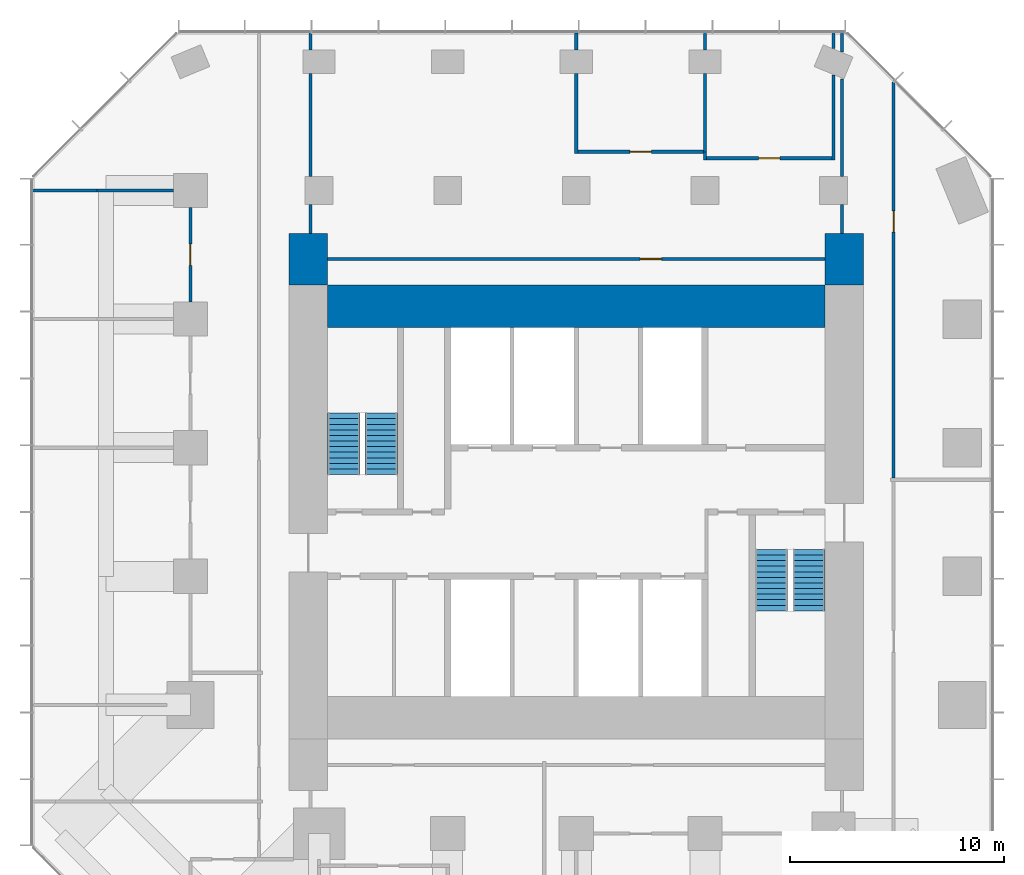
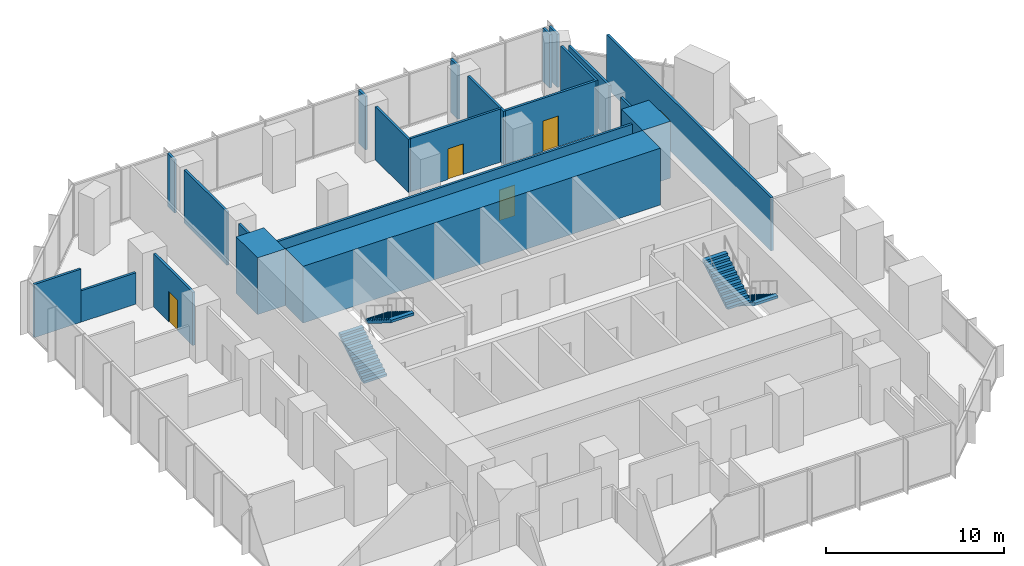
# One storey, part 10 of 11: 23 walls, 5 doors, 4 stair flights, 5 openings, 2 elements without a shape of their own.
"""IFC4 building model written with IfcOpenShell, lengths in metres."""

from ifc_helpers import new_model, si_unit, direction, frame, frame_2d, origin, place, context, subcontext, project, spatial, polyline, rectangle, outline, extrude, material, layer, layer_set, type_object, element, fill, aggregate, save


model = new_model("IFC4")

# Units and contexts
model_context = context("Model", 3, precision=1e-05, world=origin(), true_north=direction((0.0, 1.0)))
body_context = subcontext(model_context, "Body", "Model", "MODEL_VIEW")
ifc_project = project(units=[si_unit("LENGTHUNIT", "METRE"), si_unit("AREAUNIT", "SQUARE_METRE"), si_unit("VOLUMEUNIT", "CUBIC_METRE"), si_unit("PLANEANGLEUNIT", "RADIAN"), si_unit("MASSUNIT", "GRAM", prefix="KILO")], contexts=[model_context])

# Site, building, storey
site_placement = place(None, origin())
site = spatial("IfcSite", under=ifc_project, at=site_placement, CompositionType="ELEMENT")
building_placement = place(site_placement, origin())
building = spatial("IfcBuilding", under=site, at=building_placement, Name="Highveld Stack Headquarters", CompositionType="ELEMENT")
storey_placement = place(building_placement, frame((0.0, 0.0, 235.699951171875)))
storey = spatial("IfcBuildingStorey", under=building, at=storey_placement, Name="L58", CompositionType="ELEMENT", Elevation=235.699951171875)

# Walls
ifc_material_1 = material(Name="Concrete C60/75", Category="concrete")
ifc_layer_1 = layer(ifc_material_1, 2.0)
ifc_layer_set_1 = layer_set([ifc_layer_1], Name="Concrete C60/75")
wall_type_1 = type_object("IfcWallType", Name="CORE WALL 2000 C60/75", PredefinedType="SHEAR", material=ifc_layer_set_1)
wall_1_placement = place(storey_placement, frame((-5.60009765625, 12.60009765625, 0.0), z_axis=(0.0, 0.0, 1.0), x_axis=(1.0, 0.0, 0.0)))
element("IfcWall", 1, at=wall_1_placement, inside=storey, type_object=wall_type_1, Name="Core wall N L58", PredefinedType="SHEAR", context=body_context, shape_type="SweptSolid", body=[
    extrude(rectangle(XDim=23.2001953125, YDim=2.0, at=frame_2d((11.60009765625, 0.0))), origin(), (0.0, 0.0, 1.0), 3.900146484375),
])
ifc_material_2 = material(Name="Concrete C60/75", Category="concrete")
ifc_layer_2 = layer(ifc_material_2, 1.800048828125)
ifc_layer_set_2 = layer_set([ifc_layer_2], Name="Concrete C60/75")
wall_type_2 = type_object("IfcWallType", Name="CORE WING WALL 1800 C60/75", PredefinedType="SHEAR", material=ifc_layer_set_2)
for number, where, z_axis, x_axis, name in (
    (2, (-6.5, 13.60009765625, 0.0), (0.0, 0.0, 1.0), (0.0, 1.0, 0.0), "Core wing wall WN L58"),
    (3, (18.5, 13.60009765625, 0.0), (0.0, 0.0, 1.0), (0.0, 1.0, 0.0), "Core wing wall EN L58"),
):
    element("IfcWall", number, at=place(storey_placement, frame(where, z_axis=z_axis, x_axis=x_axis)), inside=storey, type_object=wall_type_2, Name=name, PredefinedType="SHEAR", context=body_context, shape_type="SweptSolid", body=[
        extrude(rectangle(XDim=2.39990234375, YDim=1.800048828125, at=frame_2d((1.199951171875, 0.0))), origin(), (0.0, 0.0, 1.0), 3.900146484375),
    ])
ifc_material_3 = material(Name="Gypsum plasterboard on steel studs", Category="steel")
ifc_layer_3 = layer(ifc_material_3, 0.14990234375)
ifc_layer_set_3 = layer_set([ifc_layer_3], Name="Gypsum plasterboard on steel studs")
wall_type_3 = type_object("IfcWallType", Name="PARTITION 150 PLASTERBOARD", PredefinedType="PARTITIONING", material=ifc_layer_set_3)
wall_2_placement = place(storey_placement, frame((-19.39990234375, 18.0, 0.0), z_axis=(0.0, 0.0, 1.0), x_axis=(1.0, 0.0, 0.0)))
element("IfcWall", 4, at=wall_2_placement, inside=storey, type_object=wall_type_3, Name="Partition Office L58", PredefinedType="PARTITIONING", context=body_context, shape_type="SweptSolid", body=[
    extrude(rectangle(XDim=3.039794921875, YDim=0.14990234375, at=frame_2d((1.52001953125, 0.0))), origin(), (0.0, 0.0, 1.0), 3.650146484375),
])
wall_3_placement = place(storey_placement, frame((-16.360107421875, 18.0, 0.0), z_axis=(0.0, 0.0, 1.0), x_axis=(1.0, 0.0, 0.0)))
element("IfcWall", 5, at=wall_3_placement, inside=storey, type_object=wall_type_3, Name="Partition Office L58", PredefinedType="PARTITIONING", context=body_context, shape_type="SweptSolid", body=[
    extrude(rectangle(XDim=3.56005859375, YDim=0.14990234375, at=frame_2d((1.780029296875, 0.0))), origin(), (0.0, 0.0, 1.0), 2.150146484375),
])

# Wall, opening, door
wall_4_placement = place(storey_placement, frame((12.074951171875, 19.5, 0.0), z_axis=(0.0, 0.0, 1.0), x_axis=(1.0, 0.0, 0.0)))
wall_4 = element("IfcWall", 6, at=wall_4_placement, inside=storey, type_object=wall_type_3, Name="Partition Quiet room L58", PredefinedType="PARTITIONING", context=body_context, shape_type="SweptSolid", body=[
    extrude(rectangle(XDim=5.85009765625, YDim=0.14990234375, at=frame_2d((2.925048828125, 0.0))), origin(), (0.0, 0.0, 1.0), 3.650146484375),
])
opening_1_placement = place(wall_4_placement, frame((2.425048828125, 0.0, 0.0)))
opening_1 = element("IfcOpeningElement", 7, at=opening_1_placement, cuts=wall_4, Name="Opening L58-20", PredefinedType="OPENING", context=body_context, shape_type="SweptSolid", body=[
    extrude(rectangle(XDim=1.0, YDim=2.10009765625, at=frame_2d((0.5, 1.050048828125))), frame((0.0, 0.0849609375, 0.0), z_axis=(0.0, -1.0, 0.0), x_axis=(1.0, 0.0, 0.0)), (0.0, 0.0, 1.0), 0.169921875),
])
ifc_material_4 = material(Name="Timber door, oiled ash", Category="wood")
door_type = type_object("IfcDoorType", Name="ROOM DOOR D6 1000x2100", OperationType="SINGLE_SWING_LEFT", PredefinedType="DOOR", material=ifc_material_4)
door_1_placement = place(opening_1_placement, origin())
door_1 = element("IfcDoor", 8, at=door_1_placement, inside=storey, type_object=door_type, Name="Quiet room door 1 L58", OperationType="SINGLE_SWING_RIGHT", OverallHeight=2.10009765625, OverallWidth=1.0, PredefinedType="DOOR", context=body_context, shape_type="SweptSolid", body=[
    extrude(rectangle(XDim=1.0, YDim=2.10009765625, at=frame_2d((0.5, 1.050048828125))), frame((0.0, 0.02490234375, 0.0), z_axis=(0.0, -1.0, 0.0), x_axis=(1.0, 0.0, 0.0)), (0.0, 0.0, 1.0), 0.050048828125),
])
fill(opening_1, door_1)

wall_5_placement = place(storey_placement, frame((6.074951171875, 19.800048828125, 0.0), z_axis=(0.0, 0.0, 1.0), x_axis=(1.0, 0.0, 0.0)))
wall_5 = element("IfcWall", 9, at=wall_5_placement, inside=storey, type_object=wall_type_3, Name="Partition Print room L58", PredefinedType="PARTITIONING", context=body_context, shape_type="SweptSolid", body=[
    extrude(rectangle(XDim=5.85009765625, YDim=0.14990234375, at=frame_2d((2.925048828125, 0.0))), origin(), (0.0, 0.0, 1.0), 3.650146484375),
])
opening_2_placement = place(wall_5_placement, frame((2.425048828125, 0.0, 0.0)))
opening_2 = element("IfcOpeningElement", 10, at=opening_2_placement, cuts=wall_5, Name="Opening L58-19", PredefinedType="OPENING", context=body_context, shape_type="SweptSolid", body=[
    extrude(rectangle(XDim=1.0, YDim=2.10009765625, at=frame_2d((0.5, 1.050048828125))), frame((0.0, 0.0849609375, 0.0), z_axis=(0.0, -1.0, 0.0), x_axis=(1.0, 0.0, 0.0)), (0.0, 0.0, 1.0), 0.169921875),
])
door_2_placement = place(opening_2_placement, origin())
door_2 = element("IfcDoor", 11, at=door_2_placement, inside=storey, type_object=door_type, Name="Print room door 1 L58", OperationType="SINGLE_SWING_RIGHT", OverallHeight=2.10009765625, OverallWidth=1.0, PredefinedType="DOOR", context=body_context, shape_type="SweptSolid", body=[
    extrude(rectangle(XDim=1.0, YDim=2.10009765625, at=frame_2d((0.5, 1.050048828125))), frame((0.0, 0.02490234375, 0.0), z_axis=(0.0, -1.0, 0.0), x_axis=(1.0, 0.0, 0.0)), (0.0, 0.0, 1.0), 0.050048828125),
])
fill(opening_2, door_2)

wall_6_placement = place(storey_placement, frame((-12.0, 12.800048828125, 0.0), z_axis=(0.0, 0.0, 1.0), x_axis=(0.0, 1.0, 0.0)))
wall_6 = element("IfcWall", 12, at=wall_6_placement, inside=storey, type_object=wall_type_3, Name="Partition Office L58", PredefinedType="PARTITIONING", context=body_context, shape_type="SweptSolid", body=[
    extrude(rectangle(XDim=4.39990234375, YDim=0.14990234375, at=frame_2d((2.199951171875, 0.0))), origin(), (0.0, 0.0, 1.0), 3.650146484375),
])
opening_3_placement = place(wall_6_placement, frame((1.699951171875, 0.0, 0.0)))
opening_3 = element("IfcOpeningElement", 13, at=opening_3_placement, cuts=wall_6, Name="Opening L58-18", PredefinedType="OPENING", context=body_context, shape_type="SweptSolid", body=[
    extrude(rectangle(XDim=1.0, YDim=2.10009765625, at=frame_2d((0.5, 1.050048828125))), frame((0.0, 0.0849609375, 0.0), z_axis=(0.0, -1.0, 0.0), x_axis=(1.0, 0.0, 0.0)), (0.0, 0.0, 1.0), 0.169921875),
])
door_3_placement = place(opening_3_placement, origin())
door_3 = element("IfcDoor", 14, at=door_3_placement, inside=storey, type_object=door_type, Name="Office door 1 L58", OperationType="SINGLE_SWING_LEFT", OverallHeight=2.10009765625, OverallWidth=1.0, PredefinedType="DOOR", context=body_context, shape_type="SweptSolid", body=[
    extrude(rectangle(XDim=1.0, YDim=2.10009765625, at=frame_2d((0.5, 1.050048828125))), frame((0.0, 0.02490234375, 0.0), z_axis=(0.0, -1.0, 0.0), x_axis=(1.0, 0.0, 0.0)), (0.0, 0.0, 1.0), 0.050048828125),
])
fill(opening_3, door_3)

# Walls
wall_7_placement = place(storey_placement, frame((6.0, 19.72509765625, 0.0), z_axis=(0.0, 0.0, 1.0), x_axis=(0.0, 1.0, 0.0)))
element("IfcWall", 15, at=wall_7_placement, inside=storey, type_object=wall_type_3, Name="Partition Print room L58", PredefinedType="PARTITIONING", context=body_context, shape_type="SweptSolid", body=[
    extrude(rectangle(XDim=3.724853515625, YDim=0.14990234375, at=frame_2d((1.8623046875, 0.0))), origin(), (0.0, 0.0, 1.0), 3.650146484375),
])
wall_8_placement = place(storey_placement, frame((6.0, 24.550048828125, 0.0), z_axis=(0.0, 0.0, 1.0), x_axis=(0.0, 1.0, 0.0)))
element("IfcWall", 16, at=wall_8_placement, inside=storey, type_object=wall_type_3, Name="Partition Print room L58", PredefinedType="PARTITIONING", context=body_context, shape_type="SweptSolid", body=[
    extrude(rectangle(XDim=0.800048828125, YDim=0.14990234375, at=frame_2d((0.39990234375, 0.0))), origin(), (0.0, 0.0, 1.0), 3.650146484375),
])
wall_9_placement = place(storey_placement, frame((12.0, 19.425048828125, 0.0), z_axis=(0.0, 0.0, 1.0), x_axis=(0.0, 1.0, 0.0)))
element("IfcWall", 17, at=wall_9_placement, inside=storey, type_object=wall_type_3, Name="Partition Quiet room L58", PredefinedType="PARTITIONING", context=body_context, shape_type="SweptSolid", body=[
    extrude(rectangle(XDim=0.375, YDim=0.14990234375, at=frame_2d((0.1875, 0.0))), origin(), (0.0, 0.0, 1.0), 3.650146484375),
])
wall_10_placement = place(storey_placement, frame((12.0, 19.800048828125, 0.0), z_axis=(0.0, 0.0, 1.0), x_axis=(0.0, 1.0, 0.0)))
element("IfcWall", 18, at=wall_10_placement, inside=storey, type_object=wall_type_3, Name="Partition Print room / Quiet room L58", PredefinedType="PARTITIONING", context=body_context, shape_type="SweptSolid", body=[
    extrude(rectangle(XDim=3.64990234375, YDim=0.14990234375, at=frame_2d((1.824951171875, 0.0))), origin(), (0.0, 0.0, 1.0), 3.650146484375),
])
wall_11_placement = place(storey_placement, frame((12.0, 24.550048828125, 0.0), z_axis=(0.0, 0.0, 1.0), x_axis=(0.0, 1.0, 0.0)))
element("IfcWall", 19, at=wall_11_placement, inside=storey, type_object=wall_type_3, Name="Partition Print room / Quiet room L58", PredefinedType="PARTITIONING", context=body_context, shape_type="SweptSolid", body=[
    extrude(rectangle(XDim=0.849853515625, YDim=0.14990234375, at=frame_2d((0.4248046875, 0.0))), origin(), (0.0, 0.0, 1.0), 3.650146484375),
])
wall_12_placement = place(storey_placement, frame((18.0, 19.425048828125, 0.0), z_axis=(0.0, 0.0, 1.0), x_axis=(0.0, 1.0, 0.0)))
element("IfcWall", 20, at=wall_12_placement, inside=storey, type_object=wall_type_3, Name="Partition Quiet room L58", PredefinedType="PARTITIONING", context=body_context, shape_type="SweptSolid", body=[
    extrude(rectangle(XDim=3.948486328125, YDim=0.14990234375, at=frame_2d((1.97412109375, 0.0))), origin(), (0.0, 0.0, 1.0), 3.650146484375),
])
wall_13_placement = place(storey_placement, frame((18.0, 24.62646484375, 0.0), z_axis=(0.0, 0.0, 1.0), x_axis=(0.0, 1.0, 0.0)))
element("IfcWall", 21, at=wall_13_placement, inside=storey, type_object=wall_type_3, Name="Partition Quiet room L58", PredefinedType="PARTITIONING", context=body_context, shape_type="SweptSolid", body=[
    extrude(rectangle(XDim=0.7734375, YDim=0.14990234375, at=frame_2d((0.38671875, 0.0))), origin(), (0.0, 0.0, 1.0), 3.650146484375),
])
wall_14_placement = place(storey_placement, frame((-6.39990234375, 16.0, 0.0), z_axis=(0.0, 0.0, 1.0), x_axis=(0.0, 1.0, 0.0)))
element("IfcWall", 22, at=wall_14_placement, inside=storey, type_object=wall_type_3, Name="Partition office neighbourhood L58", PredefinedType="PARTITIONING", context=body_context, shape_type="SweptSolid", body=[
    extrude(rectangle(XDim=1.35009765625, YDim=0.14990234375, at=frame_2d((0.675048828125, 0.0))), origin(), (0.0, 0.0, 1.0), 3.650146484375),
])
wall_15_placement = place(storey_placement, frame((-6.39990234375, 18.64990234375, 0.0), z_axis=(0.0, 0.0, 1.0), x_axis=(0.0, 1.0, 0.0)))
element("IfcWall", 23, at=wall_15_placement, inside=storey, type_object=wall_type_3, Name="Partition office neighbourhood L58", PredefinedType="PARTITIONING", context=body_context, shape_type="SweptSolid", body=[
    extrude(rectangle(XDim=4.800048828125, YDim=0.14990234375, at=frame_2d((2.39990234375, 0.0))), origin(), (0.0, 0.0, 1.0), 3.650146484375),
])
wall_16_placement = place(storey_placement, frame((-6.39990234375, 24.550048828125, 0.0), z_axis=(0.0, 0.0, 1.0), x_axis=(0.0, 1.0, 0.0)))
element("IfcWall", 24, at=wall_16_placement, inside=storey, type_object=wall_type_3, Name="Partition office neighbourhood L58", PredefinedType="PARTITIONING", context=body_context, shape_type="SweptSolid", body=[
    extrude(rectangle(XDim=0.800048828125, YDim=0.14990234375, at=frame_2d((0.39990234375, 0.0))), origin(), (0.0, 0.0, 1.0), 3.650146484375),
])

# Wall, opening, door
wall_17_placement = place(storey_placement, frame((-5.60009765625, 14.800048828125, 0.0), z_axis=(0.0, 0.0, 1.0), x_axis=(1.0, 0.0, 0.0)))
wall_17 = element("IfcWall", 25, at=wall_17_placement, inside=storey, type_object=wall_type_3, Name="Partition office neighbourhood L58", PredefinedType="PARTITIONING", context=body_context, shape_type="SweptSolid", body=[
    extrude(rectangle(XDim=23.2001953125, YDim=0.14990234375, at=frame_2d((11.60009765625, 0.0))), origin(), (0.0, 0.0, 1.0), 3.650146484375),
])
opening_4_placement = place(wall_17_placement, frame((14.580078125, 0.0, 0.0)))
opening_4 = element("IfcOpeningElement", 26, at=opening_4_placement, cuts=wall_17, Name="Opening L58-28", PredefinedType="OPENING", context=body_context, shape_type="SweptSolid", body=[
    extrude(rectangle(XDim=1.0, YDim=2.10009765625, at=frame_2d((0.5, 1.050048828125))), frame((0.0, 0.0849609375, 0.0), z_axis=(0.0, -1.0, 0.0), x_axis=(1.0, 0.0, 0.0)), (0.0, 0.0, 1.0), 0.169921875),
])
door_4_placement = place(opening_4_placement, origin())
door_4 = element("IfcDoor", 27, at=door_4_placement, inside=storey, type_object=door_type, Name="Office neighbourhood door L58", OperationType="SINGLE_SWING_RIGHT", OverallHeight=2.10009765625, OverallWidth=1.0, PredefinedType="DOOR", context=body_context, shape_type="SweptSolid", body=[
    extrude(rectangle(XDim=1.0, YDim=2.10009765625, at=frame_2d((0.5, 1.050048828125))), frame((0.0, 0.02490234375, 0.0), z_axis=(0.0, -1.0, 0.0), x_axis=(1.0, 0.0, 0.0)), (0.0, 0.0, 1.0), 0.050048828125),
])
fill(opening_4, door_4)

# Walls
wall_18_placement = place(storey_placement, frame((18.39990234375, 16.0, 0.0), z_axis=(0.0, 0.0, 1.0), x_axis=(0.0, 1.0, 0.0)))
element("IfcWall", 28, at=wall_18_placement, inside=storey, type_object=wall_type_3, Name="Partition office neighbourhood L58", PredefinedType="PARTITIONING", context=body_context, shape_type="SweptSolid", body=[
    extrude(rectangle(XDim=1.35009765625, YDim=0.14990234375, at=frame_2d((0.675048828125, 0.0))), origin(), (0.0, 0.0, 1.0), 3.650146484375),
])
wall_19_placement = place(storey_placement, frame((18.39990234375, 18.64990234375, 0.0), z_axis=(0.0, 0.0, 1.0), x_axis=(0.0, 1.0, 0.0)))
element("IfcWall", 29, at=wall_19_placement, inside=storey, type_object=wall_type_3, Name="Partition office neighbourhood L58", PredefinedType="PARTITIONING", context=body_context, shape_type="SweptSolid", body=[
    extrude(rectangle(XDim=4.55810546875, YDim=0.14990234375, at=frame_2d((2.279052734375, 0.0))), origin(), (0.0, 0.0, 1.0), 3.650146484375),
])
wall_20_placement = place(storey_placement, frame((18.39990234375, 24.460693359375, 0.0), z_axis=(0.0, 0.0, 1.0), x_axis=(0.0, 1.0, 0.0)))
element("IfcWall", 30, at=wall_20_placement, inside=storey, type_object=wall_type_3, Name="Partition office neighbourhood L58", PredefinedType="PARTITIONING", context=body_context, shape_type="SweptSolid", body=[
    extrude(rectangle(XDim=0.939208984375, YDim=0.14990234375, at=frame_2d((0.4697265625, 0.0))), origin(), (0.0, 0.0, 1.0), 3.650146484375),
])

# Wall, opening, door
wall_21_placement = place(storey_placement, frame((20.800048828125, 4.574951171875, 0.0), z_axis=(0.0, 0.0, 1.0), x_axis=(0.0, 1.0, 0.0)))
wall_21 = element("IfcWall", 31, at=wall_21_placement, inside=storey, type_object=wall_type_3, Name="Partition office neighbourhood L58", PredefinedType="PARTITIONING", context=body_context, shape_type="SweptSolid", body=[
    extrude(rectangle(XDim=18.489013671875, YDim=0.14990234375, at=frame_2d((9.24462890625, 0.0))), origin(), (0.0, 0.0, 1.0), 3.650146484375),
])
opening_5_placement = place(wall_21_placement, frame((11.47509765625, 0.0, 0.0)))
opening_5 = element("IfcOpeningElement", 32, at=opening_5_placement, cuts=wall_21, Name="Opening L58-26", PredefinedType="OPENING", context=body_context, shape_type="SweptSolid", body=[
    extrude(rectangle(XDim=1.0, YDim=2.10009765625, at=frame_2d((0.5, 1.050048828125))), frame((0.0, 0.0849609375, 0.0), z_axis=(0.0, -1.0, 0.0), x_axis=(1.0, 0.0, 0.0)), (0.0, 0.0, 1.0), 0.169921875),
])
door_5_placement = place(opening_5_placement, origin())
door_5 = element("IfcDoor", 33, at=door_5_placement, inside=storey, type_object=door_type, Name="Office neighbourhood door L58", OperationType="SINGLE_SWING_RIGHT", OverallHeight=2.10009765625, OverallWidth=1.0, PredefinedType="DOOR", context=body_context, shape_type="SweptSolid", body=[
    extrude(rectangle(XDim=1.0, YDim=2.10009765625, at=frame_2d((0.5, 1.050048828125))), frame((0.0, 0.02490234375, 0.0), z_axis=(0.0, -1.0, 0.0), x_axis=(1.0, 0.0, 0.0)), (0.0, 0.0, 1.0), 0.050048828125),
])
fill(opening_5, door_5)

# Stair, stair flights
ifc_material_5 = material(Name="Concrete C40/50, precast", Category="concrete")
stair_type_1 = type_object("IfcStairType", Name="STAIR S1 HALF TURN 1500", PredefinedType="HALF_TURN_STAIR", material=ifc_material_5)
stair_1_placement = place(storey_placement, origin())
stair_1 = element("IfcStair", 34, at=stair_1_placement, inside=storey, type_object=stair_type_1, Name="Stair S1 L58", PredefinedType="HALF_TURN_STAIR")
ifc_material_6 = material(Name="Concrete C40/50, precast", Category="concrete")
stair_flight_type = type_object("IfcStairFlightType", Name="STAIR FLIGHT 1500 PRECAST", PredefinedType="STRAIGHT", material=ifc_material_6)
stair_flight_1_placement = place(storey_placement, frame((-4.85009765625, 4.75, 0.0), z_axis=(0.0, 0.0, 1.0), x_axis=(0.0, 1.0, 0.0)))
stair_flight_1 = element("IfcStairFlight", 35, at=stair_flight_1_placement, type_object=stair_flight_type, Name="S1 flight 1", NumberOfRisers=12, NumberOfTreads=11, PredefinedType="STRAIGHT", RiserHeight=0.1625, TreadLength=0.26, context=body_context, shape_type="SweptSolid", body=[
    extrude(outline(polyline([(0.0, 0.0), (0.0, 0.16259765625), (0.260009765625, 0.16259765625), (0.260009765625, 0.324951171875), (0.52001953125, 0.324951171875), (0.52001953125, 0.487548828125), (0.780029296875, 0.487548828125), (0.780029296875, 0.64990234375), (1.0400390625, 0.64990234375), (1.0400390625, 0.8125), (1.300048828125, 0.8125), (1.300048828125, 0.97509765625), (1.56005859375, 0.97509765625), (1.56005859375, 1.137451171875), (1.820068359375, 1.137451171875), (1.820068359375, 1.300048828125), (2.080078125, 1.300048828125), (2.080078125, 1.46240234375), (2.340087890625, 1.46240234375), (2.340087890625, 1.625), (2.60009765625, 1.625), (2.60009765625, 1.78759765625), (2.860107421875, 1.78759765625), (2.860107421875, 1.949951171875), (2.860107421875, 1.61083984375), (0.28271484375, 0.0), (0.0, 0.0)])), frame((0.0, 0.75, 0.0), z_axis=(0.0, -1.0, 0.0), x_axis=(1.0, 0.0, 0.0)), (0.0, 0.0, 1.0), 1.5),
])
stair_flight_2_placement = place(storey_placement, frame((-3.10009765625, 7.610107421875, 1.949951171875), z_axis=(0.0, 0.0, 1.0), x_axis=(0.0, -1.0, 0.0)))
stair_flight_2 = element("IfcStairFlight", 36, at=stair_flight_2_placement, type_object=stair_flight_type, Name="S1 flight 2", NumberOfRisers=12, NumberOfTreads=11, PredefinedType="STRAIGHT", RiserHeight=0.1625, TreadLength=0.26, context=body_context, shape_type="SweptSolid", body=[
    extrude(outline(polyline([(0.0, 0.0), (0.0, 0.16259765625), (0.260009765625, 0.16259765625), (0.260009765625, 0.324951171875), (0.52001953125, 0.324951171875), (0.52001953125, 0.487548828125), (0.780029296875, 0.487548828125), (0.780029296875, 0.64990234375), (1.0400390625, 0.64990234375), (1.0400390625, 0.8125), (1.300048828125, 0.8125), (1.300048828125, 0.97509765625), (1.56005859375, 0.97509765625), (1.56005859375, 1.137451171875), (1.820068359375, 1.137451171875), (1.820068359375, 1.300048828125), (2.080078125, 1.300048828125), (2.080078125, 1.46240234375), (2.340087890625, 1.46240234375), (2.340087890625, 1.625), (2.60009765625, 1.625), (2.60009765625, 1.78759765625), (2.860107421875, 1.78759765625), (2.860107421875, 1.949951171875), (2.860107421875, 1.61083984375), (0.28271484375, 0.0), (0.0, 0.0)])), frame((0.0, 0.75, 0.0), z_axis=(0.0, -1.0, 0.0), x_axis=(1.0, 0.0, 0.0)), (0.0, 0.0, 1.0), 1.5),
])
aggregate(stair_1, [stair_flight_1, stair_flight_2])

ifc_material_7 = material(Name="Concrete C40/50, precast", Category="concrete")
stair_type_2 = type_object("IfcStairType", Name="STAIR S2 HALF TURN 1500", PredefinedType="HALF_TURN_STAIR", material=ifc_material_7)
stair_2_placement = place(storey_placement, origin())
stair_2 = element("IfcStair", 37, at=stair_2_placement, inside=storey, type_object=stair_type_2, Name="Stair S2 L58", PredefinedType="HALF_TURN_STAIR")
stair_flight_3_placement = place(storey_placement, frame((16.85009765625, 1.25, 0.0), z_axis=(0.0, 0.0, 1.0), x_axis=(0.0, -1.0, 0.0)))
stair_flight_3 = element("IfcStairFlight", 38, at=stair_flight_3_placement, type_object=stair_flight_type, Name="S2 flight 1", NumberOfRisers=12, NumberOfTreads=11, PredefinedType="STRAIGHT", RiserHeight=0.1625, TreadLength=0.26, context=body_context, shape_type="SweptSolid", body=[
    extrude(outline(polyline([(0.0, 0.0), (0.0, 0.16259765625), (0.260009765625, 0.16259765625), (0.260009765625, 0.324951171875), (0.52001953125, 0.324951171875), (0.52001953125, 0.487548828125), (0.780029296875, 0.487548828125), (0.780029296875, 0.64990234375), (1.0400390625, 0.64990234375), (1.0400390625, 0.8125), (1.300048828125, 0.8125), (1.300048828125, 0.97509765625), (1.56005859375, 0.97509765625), (1.56005859375, 1.137451171875), (1.820068359375, 1.137451171875), (1.820068359375, 1.300048828125), (2.080078125, 1.300048828125), (2.080078125, 1.46240234375), (2.340087890625, 1.46240234375), (2.340087890625, 1.625), (2.60009765625, 1.625), (2.60009765625, 1.78759765625), (2.860107421875, 1.78759765625), (2.860107421875, 1.949951171875), (2.860107421875, 1.61083984375), (0.28271484375, 0.0), (0.0, 0.0)])), frame((0.0, 0.75, 0.0), z_axis=(0.0, -1.0, 0.0), x_axis=(1.0, 0.0, 0.0)), (0.0, 0.0, 1.0), 1.5),
])
stair_flight_4_placement = place(storey_placement, frame((15.10009765625, -1.610107421875, 1.949951171875), z_axis=(0.0, 0.0, 1.0), x_axis=(0.0, 1.0, 0.0)))
stair_flight_4 = element("IfcStairFlight", 39, at=stair_flight_4_placement, type_object=stair_flight_type, Name="S2 flight 2", NumberOfRisers=12, NumberOfTreads=11, PredefinedType="STRAIGHT", RiserHeight=0.1625, TreadLength=0.26, context=body_context, shape_type="SweptSolid", body=[
    extrude(outline(polyline([(0.0, 0.0), (0.0, 0.16259765625), (0.260009765625, 0.16259765625), (0.260009765625, 0.324951171875), (0.52001953125, 0.324951171875), (0.52001953125, 0.487548828125), (0.780029296875, 0.487548828125), (0.780029296875, 0.64990234375), (1.0400390625, 0.64990234375), (1.0400390625, 0.8125), (1.300048828125, 0.8125), (1.300048828125, 0.97509765625), (1.56005859375, 0.97509765625), (1.56005859375, 1.137451171875), (1.820068359375, 1.137451171875), (1.820068359375, 1.300048828125), (2.080078125, 1.300048828125), (2.080078125, 1.46240234375), (2.340087890625, 1.46240234375), (2.340087890625, 1.625), (2.60009765625, 1.625), (2.60009765625, 1.78759765625), (2.860107421875, 1.78759765625), (2.860107421875, 1.949951171875), (2.860107421875, 1.61083984375), (0.28271484375, 0.0), (0.0, 0.0)])), frame((0.0, 0.75, 0.0), z_axis=(0.0, -1.0, 0.0), x_axis=(1.0, 0.0, 0.0)), (0.0, 0.0, 1.0), 1.5),
])
aggregate(stair_2, [stair_flight_3, stair_flight_4])

save(model, "model.ifc")
